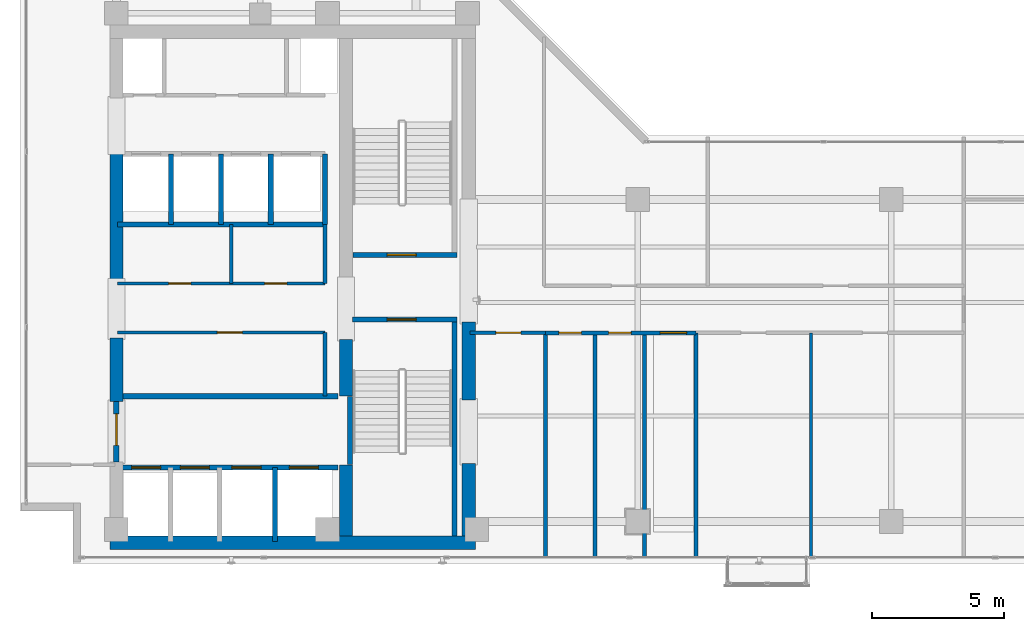
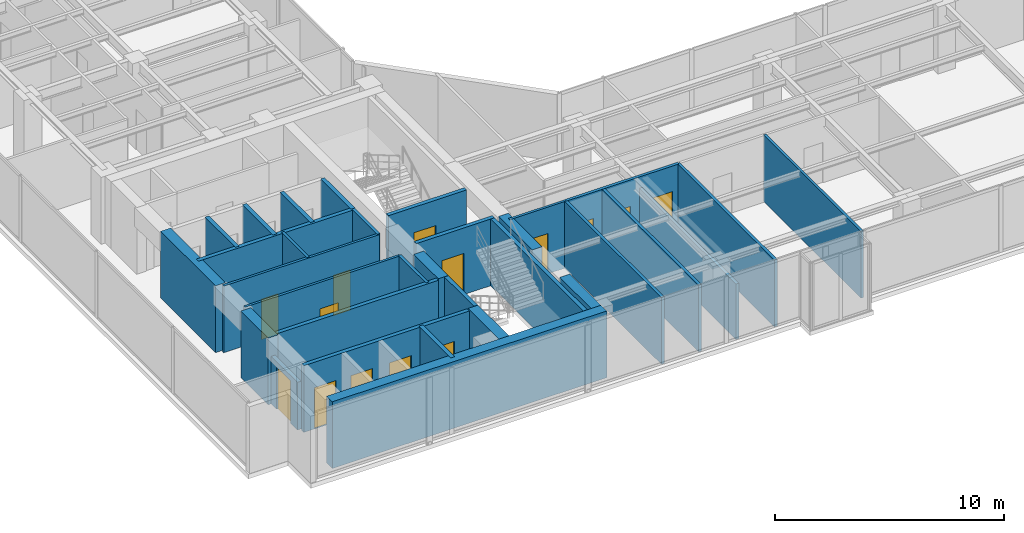
# One storey, part 17 of 22: 32 walls, 14 doors, 14 openings.
"""IFC4 building model written with IfcOpenShell, lengths in metres."""

from ifc_helpers import new_model, si_unit, direction, frame, frame_2d, origin, place, context, subcontext, project, spatial, rectangle, extrude, material, layer, layer_set, type_object, element, fill, save


model = new_model("IFC4")

# Units and contexts
model_context = context("Model", 3, precision=1e-05, world=origin(), true_north=direction((0.0, 1.0)))
body_context = subcontext(model_context, "Body", "Model", "MODEL_VIEW")
ifc_project = project(units=[si_unit("LENGTHUNIT", "METRE"), si_unit("AREAUNIT", "SQUARE_METRE"), si_unit("VOLUMEUNIT", "CUBIC_METRE"), si_unit("PLANEANGLEUNIT", "RADIAN"), si_unit("MASSUNIT", "GRAM", prefix="KILO")], contexts=[model_context])

# Site, building, storey
site_placement = place(None, origin())
site = spatial("IfcSite", under=ifc_project, at=site_placement, CompositionType="ELEMENT")
building_placement = place(site_placement, origin())
building = spatial("IfcBuilding", under=site, at=building_placement, Name="Kolvaren Waterfront Exchange", CompositionType="ELEMENT")
storey_placement = place(building_placement, frame((0.0, 0.0, 327.39990234375)))
storey = spatial("IfcBuildingStorey", under=building, at=storey_placement, Name="L84", CompositionType="ELEMENT", Elevation=327.39990234375)

# Wall, opening, door
ifc_material_1 = material(Name="Precast concrete C40/50", Category="concrete")
ifc_layer_1 = layer(ifc_material_1, 0.199951171875, Name="Precast concrete C40/50")
ifc_layer_set_1 = layer_set([ifc_layer_1], Name="Precast concrete C40/50")
wall_type_1 = type_object("IfcWallType", Name="ARC-FIRE-200", PredefinedType="PARTITIONING", material=ifc_layer_set_1)
wall_1_placement = place(storey_placement, frame((16.39990234375, 12.85009765625, 0.0), z_axis=(0.0, 0.0, 1.0), x_axis=(1.0, 0.0, 0.0)))
wall_1 = element("IfcWall", 1, at=wall_1_placement, inside=storey, type_object=wall_type_1, Name="L84 interior wall PW-L84-ST1-THROAT-S", PredefinedType="PARTITIONING", context=body_context, shape_type="SweptSolid", body=[
    extrude(rectangle(XDim=3.960205078125, YDim=0.199951171875, at=frame_2d((1.97998046875, 0.0))), origin(), (0.0, 0.0, 1.0), 3.56005859375),
])
opening_1_placement = place(wall_1_placement, frame((1.3037109375, 0.0, 0.0)))
opening_1 = element("IfcOpeningElement", 2, at=opening_1_placement, cuts=wall_1, Name="Opening FD2", PredefinedType="OPENING", context=body_context, shape_type="SweptSolid", body=[
    extrude(rectangle(XDim=1.10009765625, YDim=2.199951171875, at=frame_2d((0.550048828125, 1.10009765625))), frame((0.0, 0.10986328125, 0.0), z_axis=(0.0, -1.0, 0.0), x_axis=(1.0, 0.0, 0.0)), (0.0, 0.0, 1.0), 0.219970703125),
])
ifc_material_2 = material(Name="Pressed steel smoke-seal fire door", Category="steel")
door_type_1 = type_object("IfcDoorType", Name="ARC-FD-1100", OperationType="NOTDEFINED", PredefinedType="DOOR", material=ifc_material_2)
door_1_placement = place(opening_1_placement, frame((1.10009765625, 0.0, 0.0), z_axis=(0.0, 0.0, 1.0), x_axis=(-1.0, 0.0, 0.0)))
door_1 = element("IfcDoor", 3, at=door_1_placement, inside=storey, type_object=door_type_1, Name="L84 door DR-L84-ST1-IN (FD2)", OperationType="SINGLE_SWING_RIGHT", OverallHeight=2.199951171875, OverallWidth=1.10009765625, PredefinedType="DOOR", context=body_context, shape_type="SweptSolid", body=[
    extrude(rectangle(XDim=1.10009765625, YDim=2.199951171875, at=frame_2d((0.550048828125, 1.10009765625))), frame((0.0, 0.02490234375, 0.0), z_axis=(0.0, -1.0, 0.0), x_axis=(1.0, 0.0, 0.0)), (0.0, 0.0, 1.0), 0.050048828125),
])
fill(opening_1, door_1)

wall_2_placement = place(storey_placement, frame((16.409912109375, 15.300048828125, 0.0), z_axis=(0.0, 0.0, 1.0), x_axis=(1.0, 0.0, 0.0)))
wall_2 = element("IfcWall", 4, at=wall_2_placement, inside=storey, type_object=wall_type_1, Name="L84 interior wall PW-L84-ST2-THROAT-N", PredefinedType="PARTITIONING", context=body_context, shape_type="SweptSolid", body=[
    extrude(rectangle(XDim=3.9501953125, YDim=0.199951171875, at=frame_2d((1.97509765625, 0.0))), origin(), (0.0, 0.0, 1.0), 3.56005859375),
])
opening_2_placement = place(wall_2_placement, frame((1.293701171875, 0.0, 0.0)))
opening_2 = element("IfcOpeningElement", 5, at=opening_2_placement, cuts=wall_2, Name="Opening FD2", PredefinedType="OPENING", context=body_context, shape_type="SweptSolid", body=[
    extrude(rectangle(XDim=1.10009765625, YDim=2.199951171875, at=frame_2d((0.550048828125, 1.10009765625))), frame((0.0, 0.10986328125, 0.0), z_axis=(0.0, -1.0, 0.0), x_axis=(1.0, 0.0, 0.0)), (0.0, 0.0, 1.0), 0.219970703125),
])
door_2_placement = place(opening_2_placement, origin())
door_2 = element("IfcDoor", 6, at=door_2_placement, inside=storey, type_object=door_type_1, Name="L84 door DR-L84-ST2-IN (FD2)", OperationType="SINGLE_SWING_LEFT", OverallHeight=2.199951171875, OverallWidth=1.10009765625, PredefinedType="DOOR", context=body_context, shape_type="SweptSolid", body=[
    extrude(rectangle(XDim=1.10009765625, YDim=2.199951171875, at=frame_2d((0.550048828125, 1.10009765625))), frame((0.0, 0.02490234375, 0.0), z_axis=(0.0, -1.0, 0.0), x_axis=(1.0, 0.0, 0.0)), (0.0, 0.0, 1.0), 0.050048828125),
])
fill(opening_2, door_2)

# Wall
wall_3_placement = place(storey_placement, frame((7.5, 9.949951171875, 0.0), z_axis=(0.0, 0.0, 1.0), x_axis=(1.0, 0.0, 0.0)))
element("IfcWall", 7, at=wall_3_placement, inside=storey, type_object=wall_type_1, Name="L84 interior wall PW-L84-FF-N", PredefinedType="PARTITIONING", context=body_context, shape_type="SweptSolid", body=[
    extrude(rectangle(XDim=8.35009765625, YDim=0.199951171875, at=frame_2d((4.175048828125, 0.0))), origin(), (0.0, 0.0, 1.0), 3.56005859375),
])

# Wall, opening, door
wall_4_placement = place(storey_placement, frame((7.449951171875, 7.449951171875, 0.0), z_axis=(0.0, 0.0, 1.0), x_axis=(0.0, 1.0, 0.0)))
wall_4 = element("IfcWall", 8, at=wall_4_placement, inside=storey, type_object=wall_type_1, Name="L84 interior wall PW-L84-FF-W-DOOR", PredefinedType="PARTITIONING", context=body_context, shape_type="SweptSolid", body=[
    extrude(rectangle(XDim=2.300048828125, YDim=0.199951171875, at=frame_2d((1.14990234375, 0.0))), origin(), (0.0, 0.0, 1.0), 2.5400390625),
])
opening_3_placement = place(wall_4_placement, frame((0.63330078125, 0.0, 0.0)))
opening_3 = element("IfcOpeningElement", 9, at=opening_3_placement, cuts=wall_4, Name="Opening FD3", PredefinedType="OPENING", context=body_context, shape_type="SweptSolid", body=[
    extrude(rectangle(XDim=1.199951171875, YDim=2.25, at=frame_2d((0.60009765625, 1.125))), frame((0.0, 0.10986328125, 0.0), z_axis=(0.0, -1.0, 0.0), x_axis=(1.0, 0.0, 0.0)), (0.0, 0.0, 1.0), 0.219970703125),
])
ifc_material_3 = material(Name="Pressed steel fire door", Category="steel")
door_type_2 = type_object("IfcDoorType", Name="ARC-FD-1200", OperationType="NOTDEFINED", PredefinedType="DOOR", material=ifc_material_3)
door_3_placement = place(opening_3_placement, frame((1.199951171875, 0.0, 0.0), z_axis=(0.0, 0.0, 1.0), x_axis=(-1.0, 0.0, 0.0)))
door_3 = element("IfcDoor", 10, at=door_3_placement, inside=storey, type_object=door_type_2, Name="L84 door DR-L84-FF-OUT (FD3)", OperationType="SINGLE_SWING_RIGHT", OverallHeight=2.25, OverallWidth=1.199951171875, PredefinedType="DOOR", context=body_context, shape_type="SweptSolid", body=[
    extrude(rectangle(XDim=1.199951171875, YDim=2.25, at=frame_2d((0.60009765625, 1.125))), frame((0.0, 0.02490234375, 0.0), z_axis=(0.0, -1.0, 0.0), x_axis=(1.0, 0.0, 0.0)), (0.0, 0.0, 1.0), 0.050048828125),
])
fill(opening_3, door_3)

ifc_material_4 = material(Name="Acoustic gypsum steel stud", Category="steel")
ifc_layer_2 = layer(ifc_material_4, 0.125, Name="Acoustic gypsum steel stud")
ifc_layer_set_2 = layer_set([ifc_layer_2], Name="Acoustic gypsum steel stud")
wall_type_2 = type_object("IfcWallType", Name="ARC-PART-125", PredefinedType="PARTITIONING", material=ifc_layer_set_2)
wall_5_placement = place(storey_placement, frame((7.5, 12.360107421875, 0.0), z_axis=(0.0, 0.0, 1.0), x_axis=(1.0, 0.0, 0.0)))
wall_5 = element("IfcWall", 11, at=wall_5_placement, inside=storey, type_object=wall_type_2, Name="L84 interior wall PW-L84-REC-HI-S", PredefinedType="PARTITIONING", context=body_context, shape_type="SweptSolid", body=[
    extrude(rectangle(XDim=7.85009765625, YDim=0.125, at=frame_2d((3.925048828125, 0.0))), origin(), (0.0, 0.0, 1.0), 3.56005859375),
])
opening_4_placement = place(wall_5_placement, frame((3.77490234375, 0.0, 0.0)))
opening_4 = element("IfcOpeningElement", 12, at=opening_4_placement, cuts=wall_5, Name="Opening D02", PredefinedType="OPENING", context=body_context, shape_type="SweptSolid", body=[
    extrude(rectangle(XDim=0.949951171875, YDim=2.14990234375, at=frame_2d((0.47509765625, 1.074951171875))), frame((0.0, 0.072509765625, 0.0), z_axis=(0.0, -1.0, 0.0), x_axis=(1.0, 0.0, 0.0)), (0.0, 0.0, 1.0), 0.14501953125),
])
ifc_material_5 = material(Name="Oak veneer acoustic timber", Category="wood")
door_type_3 = type_object("IfcDoorType", Name="ARC-DR-950", OperationType="NOTDEFINED", PredefinedType="DOOR", material=ifc_material_5)
door_4_placement = place(opening_4_placement, origin())
door_4 = element("IfcDoor", 13, at=door_4_placement, inside=storey, type_object=door_type_3, Name="L84 door DR-L84-REC-HI-D1 (D02)", OperationType="SINGLE_SWING_LEFT", OverallHeight=2.14990234375, OverallWidth=0.949951171875, PredefinedType="DOOR", context=body_context, shape_type="SweptSolid", body=[
    extrude(rectangle(XDim=0.949951171875, YDim=2.14990234375, at=frame_2d((0.47509765625, 1.074951171875))), frame((0.0, 0.02490234375, 0.0), z_axis=(0.0, -1.0, 0.0), x_axis=(1.0, 0.0, 0.0)), (0.0, 0.0, 1.0), 0.050048828125),
])
fill(opening_4, door_4)

# Wall, openings, doors
wall_6_placement = place(storey_placement, frame((7.5, 14.219970703125, 0.0), z_axis=(0.0, 0.0, 1.0), x_axis=(1.0, 0.0, 0.0)))
wall_6 = element("IfcWall", 14, at=wall_6_placement, inside=storey, type_object=wall_type_2, Name="L84 interior wall PW-L84-REC-HI-N", PredefinedType="PARTITIONING", context=body_context, shape_type="SweptSolid", body=[
    extrude(rectangle(XDim=7.85009765625, YDim=0.125, at=frame_2d((3.925048828125, 0.0))), origin(), (0.0, 0.0, 1.0), 3.56005859375),
])
opening_5_placement = place(wall_6_placement, frame((1.925048828125, 0.0, 0.0)))
opening_5 = element("IfcOpeningElement", 15, at=opening_5_placement, cuts=wall_6, Name="Opening D01", PredefinedType="OPENING", context=body_context, shape_type="SweptSolid", body=[
    extrude(rectangle(XDim=0.85009765625, YDim=2.14990234375, at=frame_2d((0.425048828125, 1.074951171875))), frame((0.0, 0.072509765625, 0.0), z_axis=(0.0, -1.0, 0.0), x_axis=(1.0, 0.0, 0.0)), (0.0, 0.0, 1.0), 0.14501953125),
])
opening_6_placement = place(wall_6_placement, frame((5.56298828125, 0.0, 0.0)))
opening_6 = element("IfcOpeningElement", 16, at=opening_6_placement, cuts=wall_6, Name="Opening D01", PredefinedType="OPENING", context=body_context, shape_type="SweptSolid", body=[
    extrude(rectangle(XDim=0.85009765625, YDim=2.14990234375, at=frame_2d((0.425048828125, 1.074951171875))), frame((0.0, 0.072509765625, 0.0), z_axis=(0.0, -1.0, 0.0), x_axis=(1.0, 0.0, 0.0)), (0.0, 0.0, 1.0), 0.14501953125),
])
ifc_material_6 = material(Name="Oak veneer timber leaf", Category="wood")
door_type_4 = type_object("IfcDoorType", Name="ARC-DR-900", OperationType="NOTDEFINED", PredefinedType="DOOR", material=ifc_material_6)
door_5_placement = place(opening_5_placement, origin())
door_5 = element("IfcDoor", 17, at=door_5_placement, inside=storey, type_object=door_type_4, Name="L84 door DR-L84-REC-HI-D2 (D01)", OperationType="SINGLE_SWING_RIGHT", OverallHeight=2.14990234375, OverallWidth=0.85009765625, PredefinedType="DOOR", context=body_context, shape_type="SweptSolid", body=[
    extrude(rectangle(XDim=0.85009765625, YDim=2.14990234375, at=frame_2d((0.425048828125, 1.074951171875))), frame((0.0, 0.02490234375, 0.0), z_axis=(0.0, -1.0, 0.0), x_axis=(1.0, 0.0, 0.0)), (0.0, 0.0, 1.0), 0.050048828125),
])
fill(opening_5, door_5)
door_6_placement = place(opening_6_placement, origin())
door_6 = element("IfcDoor", 18, at=door_6_placement, inside=storey, type_object=door_type_4, Name="L84 door DR-L84-REC-HI-D3 (D01)", OperationType="SINGLE_SWING_LEFT", OverallHeight=2.14990234375, OverallWidth=0.85009765625, PredefinedType="DOOR", context=body_context, shape_type="SweptSolid", body=[
    extrude(rectangle(XDim=0.85009765625, YDim=2.14990234375, at=frame_2d((0.425048828125, 1.074951171875))), frame((0.0, 0.02490234375, 0.0), z_axis=(0.0, -1.0, 0.0), x_axis=(1.0, 0.0, 0.0)), (0.0, 0.0, 1.0), 0.050048828125),
])
fill(opening_6, door_6)

# Wall
wall_7_placement = place(storey_placement, frame((11.800048828125, 14.219970703125, 0.0), z_axis=(0.0, 0.0, 1.0), x_axis=(0.0, 1.0, 0.0)))
element("IfcWall", 19, at=wall_7_placement, inside=storey, type_object=wall_type_2, Name="L84 interior wall PW-L84-REC-HI-MN2", PredefinedType="PARTITIONING", context=body_context, shape_type="SweptSolid", body=[
    extrude(rectangle(XDim=2.22998046875, YDim=0.125, at=frame_2d((1.114990234375, 0.0))), origin(), (0.0, 0.0, 1.0), 3.56005859375),
])

# Wall, opening, door
wall_8_placement = place(storey_placement, frame((20.85009765625, 12.35009765625, 0.0), z_axis=(0.0, 0.0, 1.0), x_axis=(1.0, 0.0, 0.0)))
wall_8 = element("IfcWall", 20, at=wall_8_placement, inside=storey, type_object=wall_type_2, Name="L84 interior wall PW-L84-SWST3-N", PredefinedType="PARTITIONING", context=body_context, shape_type="SweptSolid", body=[
    extrude(rectangle(XDim=2.849853515625, YDim=0.125, at=frame_2d((1.4248046875, 0.0))), origin(), (0.0, 0.0, 1.0), 3.56005859375),
])
opening_7_placement = place(wall_8_placement, frame((0.971435546875, 0.0, 0.0)))
opening_7 = element("IfcOpeningElement", 21, at=opening_7_placement, cuts=wall_8, Name="Opening D02", PredefinedType="OPENING", context=body_context, shape_type="SweptSolid", body=[
    extrude(rectangle(XDim=0.949951171875, YDim=2.14990234375, at=frame_2d((0.47509765625, 1.074951171875))), frame((0.0, 0.072509765625, 0.0), z_axis=(0.0, -1.0, 0.0), x_axis=(1.0, 0.0, 0.0)), (0.0, 0.0, 1.0), 0.14501953125),
])
door_7_placement = place(opening_7_placement, origin())
door_7 = element("IfcDoor", 22, at=door_7_placement, inside=storey, type_object=door_type_3, Name="L84 door DR-L84-SWST3-D (D02)", OperationType="SINGLE_SWING_RIGHT", OverallHeight=2.14990234375, OverallWidth=0.949951171875, PredefinedType="DOOR", context=body_context, shape_type="SweptSolid", body=[
    extrude(rectangle(XDim=0.949951171875, YDim=2.14990234375, at=frame_2d((0.47509765625, 1.074951171875))), frame((0.0, 0.02490234375, 0.0), z_axis=(0.0, -1.0, 0.0), x_axis=(1.0, 0.0, 0.0)), (0.0, 0.0, 1.0), 0.050048828125),
])
fill(opening_7, door_7)

# Walls
wall_9_placement = place(storey_placement, frame((33.760009765625, 3.840087890625, 0.0), z_axis=(0.0, 0.0, 1.0), x_axis=(0.0, 1.0, 0.0)))
element("IfcWall", 23, at=wall_9_placement, inside=storey, type_object=wall_type_2, Name="L84 interior wall PW-L84-ES-DIV-1", PredefinedType="PARTITIONING", context=body_context, shape_type="SweptSolid", body=[
    extrude(rectangle(XDim=8.510009765625, YDim=0.125, at=frame_2d((4.2548828125, 0.0))), origin(), (0.0, 0.0, 1.0), 3.56005859375),
])
ifc_material_7 = material(Name="Gypsum fireboard steel stud", Category="steel")
ifc_layer_3 = layer(ifc_material_7, 0.14990234375, Name="Gypsum fireboard steel stud")
ifc_layer_set_3 = layer_set([ifc_layer_3], Name="Gypsum fireboard steel stud")
wall_type_3 = type_object("IfcWallType", Name="ARC-PART-150", PredefinedType="PARTITIONING", material=ifc_layer_set_3)
wall_10_placement = place(storey_placement, frame((15.35009765625, 9.949951171875, 0.0), z_axis=(0.0, 0.0, 1.0), x_axis=(0.0, 1.0, 0.0)))
element("IfcWall", 24, at=wall_10_placement, inside=storey, type_object=wall_type_3, Name="L84 interior wall PW-L84-REC-HI-E1", PredefinedType="PARTITIONING", context=body_context, shape_type="SweptSolid", body=[
    extrude(rectangle(XDim=2.41015625, YDim=0.14990234375, at=frame_2d((1.205078125, 0.0))), origin(), (0.0, 0.0, 1.0), 3.56005859375),
])
wall_11_placement = place(storey_placement, frame((15.35009765625, 14.219970703125, 0.0), z_axis=(0.0, 0.0, 1.0), x_axis=(0.0, 1.0, 0.0)))
element("IfcWall", 25, at=wall_11_placement, inside=storey, type_object=wall_type_3, Name="L84 interior wall PW-L84-REC-HI-E2", PredefinedType="PARTITIONING", context=body_context, shape_type="SweptSolid", body=[
    extrude(rectangle(XDim=2.22998046875, YDim=0.14990234375, at=frame_2d((1.114990234375, 0.0))), origin(), (0.0, 0.0, 1.0), 3.56005859375),
])
ifc_material_8 = material(Name="Moisture-resistant gypsum stud")
ifc_layer_4 = layer(ifc_material_8, 0.14990234375, Name="Moisture-resistant gypsum stud")
ifc_layer_set_4 = layer_set([ifc_layer_4], Name="Moisture-resistant gypsum stud")
wall_type_4 = type_object("IfcWallType", Name="ARC-PLUMB-150", PredefinedType="PLUMBINGWALL", material=ifc_layer_set_4)
wall_12_placement = place(storey_placement, frame((23.699951171875, 3.840087890625, 0.0), z_axis=(0.0, 0.0, 1.0), x_axis=(0.0, 1.0, 0.0)))
element("IfcWall", 26, at=wall_12_placement, inside=storey, type_object=wall_type_4, Name="L84 interior wall PW-L84-WC-0", PredefinedType="PLUMBINGWALL", context=body_context, shape_type="SweptSolid", body=[
    extrude(rectangle(XDim=8.510009765625, YDim=0.14990234375, at=frame_2d((4.2548828125, 0.0))), origin(), (0.0, 0.0, 1.0), 3.56005859375),
])

# Wall, openings, doors
wall_13_placement = place(storey_placement, frame((23.699951171875, 12.35009765625, 0.0), z_axis=(0.0, 0.0, 1.0), x_axis=(1.0, 0.0, 0.0)))
wall_13 = element("IfcWall", 27, at=wall_13_placement, inside=storey, type_object=wall_type_4, Name="L84 interior wall PW-L84-WC-N", PredefinedType="PLUMBINGWALL", context=body_context, shape_type="SweptSolid", body=[
    extrude(rectangle(XDim=5.699951171875, YDim=0.14990234375, at=frame_2d((2.85009765625, 0.0))), origin(), (0.0, 0.0, 1.0), 3.56005859375),
])
opening_8_placement = place(wall_13_placement, frame((0.514892578125, 0.0, 0.0)))
opening_8 = element("IfcOpeningElement", 28, at=opening_8_placement, cuts=wall_13, Name="Opening D01", PredefinedType="OPENING", context=body_context, shape_type="SweptSolid", body=[
    extrude(rectangle(XDim=0.85009765625, YDim=2.14990234375, at=frame_2d((0.425048828125, 1.074951171875))), frame((0.0, 0.0849609375, 0.0), z_axis=(0.0, -1.0, 0.0), x_axis=(1.0, 0.0, 0.0)), (0.0, 0.0, 1.0), 0.169921875),
])
opening_9_placement = place(wall_13_placement, frame((2.39501953125, 0.0, 0.0)))
opening_9 = element("IfcOpeningElement", 29, at=opening_9_placement, cuts=wall_13, Name="Opening D01", PredefinedType="OPENING", context=body_context, shape_type="SweptSolid", body=[
    extrude(rectangle(XDim=0.85009765625, YDim=2.14990234375, at=frame_2d((0.425048828125, 1.074951171875))), frame((0.0, 0.0849609375, 0.0), z_axis=(0.0, -1.0, 0.0), x_axis=(1.0, 0.0, 0.0)), (0.0, 0.0, 1.0), 0.169921875),
])
opening_10_placement = place(wall_13_placement, frame((4.35009765625, 0.0, 0.0)))
opening_10 = element("IfcOpeningElement", 30, at=opening_10_placement, cuts=wall_13, Name="Opening D03", PredefinedType="OPENING", context=body_context, shape_type="SweptSolid", body=[
    extrude(rectangle(XDim=1.0, YDim=2.199951171875, at=frame_2d((0.5, 1.10009765625))), frame((0.0, 0.0849609375, 0.0), z_axis=(0.0, -1.0, 0.0), x_axis=(1.0, 0.0, 0.0)), (0.0, 0.0, 1.0), 0.169921875),
])
ifc_material_9 = material(Name="Oak veneer accessible timber", Category="wood")
door_type_5 = type_object("IfcDoorType", Name="ARC-DR-1000", OperationType="NOTDEFINED", PredefinedType="DOOR", material=ifc_material_9)
door_8_placement = place(opening_10_placement, origin())
door_8 = element("IfcDoor", 31, at=door_8_placement, inside=storey, type_object=door_type_5, Name="L84 door DR-L84-WCA-D (D03)", OperationType="SINGLE_SWING_RIGHT", OverallHeight=2.199951171875, OverallWidth=1.0, PredefinedType="DOOR", context=body_context, shape_type="SweptSolid", body=[
    extrude(rectangle(XDim=1.0, YDim=2.199951171875, at=frame_2d((0.5, 1.10009765625))), frame((0.0, 0.02490234375, 0.0), z_axis=(0.0, -1.0, 0.0), x_axis=(1.0, 0.0, 0.0)), (0.0, 0.0, 1.0), 0.050048828125),
])
fill(opening_10, door_8)
door_9_placement = place(opening_8_placement, origin())
door_9 = element("IfcDoor", 32, at=door_9_placement, inside=storey, type_object=door_type_4, Name="L84 door DR-L84-WCM-D (D01)", OperationType="SINGLE_SWING_RIGHT", OverallHeight=2.14990234375, OverallWidth=0.85009765625, PredefinedType="DOOR", context=body_context, shape_type="SweptSolid", body=[
    extrude(rectangle(XDim=0.85009765625, YDim=2.14990234375, at=frame_2d((0.425048828125, 1.074951171875))), frame((0.0, 0.02490234375, 0.0), z_axis=(0.0, -1.0, 0.0), x_axis=(1.0, 0.0, 0.0)), (0.0, 0.0, 1.0), 0.050048828125),
])
fill(opening_8, door_9)
door_10_placement = place(opening_9_placement, origin())
door_10 = element("IfcDoor", 33, at=door_10_placement, inside=storey, type_object=door_type_4, Name="L84 door DR-L84-WCF-D (D01)", OperationType="SINGLE_SWING_LEFT", OverallHeight=2.14990234375, OverallWidth=0.85009765625, PredefinedType="DOOR", context=body_context, shape_type="SweptSolid", body=[
    extrude(rectangle(XDim=0.85009765625, YDim=2.14990234375, at=frame_2d((0.425048828125, 1.074951171875))), frame((0.0, 0.02490234375, 0.0), z_axis=(0.0, -1.0, 0.0), x_axis=(1.0, 0.0, 0.0)), (0.0, 0.0, 1.0), 0.050048828125),
])
fill(opening_9, door_10)

# Walls
wall_14_placement = place(storey_placement, frame((25.580078125, 3.840087890625, 0.0), z_axis=(0.0, 0.0, 1.0), x_axis=(0.0, 1.0, 0.0)))
element("IfcWall", 34, at=wall_14_placement, inside=storey, type_object=wall_type_4, Name="L84 interior wall PW-L84-WC-1", PredefinedType="PLUMBINGWALL", context=body_context, shape_type="SweptSolid", body=[
    extrude(rectangle(XDim=8.510009765625, YDim=0.14990234375, at=frame_2d((4.2548828125, 0.0))), origin(), (0.0, 0.0, 1.0), 3.56005859375),
])
wall_15_placement = place(storey_placement, frame((27.4599609375, 3.840087890625, 0.0), z_axis=(0.0, 0.0, 1.0), x_axis=(0.0, 1.0, 0.0)))
element("IfcWall", 35, at=wall_15_placement, inside=storey, type_object=wall_type_4, Name="L84 interior wall PW-L84-WC-2", PredefinedType="PLUMBINGWALL", context=body_context, shape_type="SweptSolid", body=[
    extrude(rectangle(XDim=8.510009765625, YDim=0.14990234375, at=frame_2d((4.2548828125, 0.0))), origin(), (0.0, 0.0, 1.0), 2.960205078125),
])
wall_16_placement = place(storey_placement, frame((29.39990234375, 3.840087890625, 0.0), z_axis=(0.0, 0.0, 1.0), x_axis=(0.0, 1.0, 0.0)))
element("IfcWall", 36, at=wall_16_placement, inside=storey, type_object=wall_type_4, Name="L84 interior wall PW-L84-WC-3", PredefinedType="PLUMBINGWALL", context=body_context, shape_type="SweptSolid", body=[
    extrude(rectangle(XDim=8.510009765625, YDim=0.14990234375, at=frame_2d((4.2548828125, 0.0))), origin(), (0.0, 0.0, 1.0), 3.56005859375),
])
ifc_material_10 = material(Name="Concrete C40/50", Category="concrete")
ifc_layer_5 = layer(ifc_material_10, 0.199951171875, Name="Concrete C40/50")
ifc_layer_set_5 = layer_set([ifc_layer_5], Name="Concrete C40/50")
wall_type_5 = type_object("IfcWallType", Name="ARC-SHAFT-200", PredefinedType="PARTITIONING", material=ifc_layer_set_5)
wall_17_placement = place(storey_placement, frame((16.300048828125, 7.360107421875, 0.0), z_axis=(0.0, 0.0, 1.0), x_axis=(0.0, 1.0, 0.0)))
element("IfcWall", 37, at=wall_17_placement, inside=storey, type_object=wall_type_5, Name="L84 structural stairwell wall PW-L84-ST1-W", PredefinedType="SHEAR", context=body_context, shape_type="SweptSolid", body=[
    extrude(rectangle(XDim=2.579833984375, YDim=0.199951171875, at=frame_2d((1.2900390625, 0.0))), origin(), (0.0, 0.0, 1.0), 3.56005859375),
])
wall_18_placement = place(storey_placement, frame((20.260009765625, 4.659912109375, 0.0), z_axis=(0.0, 0.0, 1.0), x_axis=(0.0, 1.0, 0.0)))
element("IfcWall", 38, at=wall_18_placement, inside=storey, type_object=wall_type_5, Name="L84 structural stairwell wall PW-L84-ST1-E", PredefinedType="SHEAR", context=body_context, shape_type="SweptSolid", body=[
    extrude(rectangle(XDim=8.090087890625, YDim=0.199951171875, at=frame_2d((4.044921875, 0.0))), origin(), (0.0, 0.0, 1.0), 3.56005859375),
])

# Wall, openings, doors
wall_19_placement = place(storey_placement, frame((7.5, 7.25, 0.0), z_axis=(0.0, 0.0, 1.0), x_axis=(1.0, 0.0, 0.0)))
wall_19 = element("IfcWall", 39, at=wall_19_placement, inside=storey, type_object=wall_type_5, Name="L84 interior wall PW-L84-FF-S", PredefinedType="PARTITIONING", context=body_context, shape_type="SweptSolid", body=[
    extrude(rectangle(XDim=8.35009765625, YDim=0.199951171875, at=frame_2d((4.175048828125, 0.0))), origin(), (0.0, 0.0, 1.0), 3.56005859375),
])
opening_11_placement = place(wall_19_placement, frame((0.530029296875, 0.0, 0.0)))
opening_11 = element("IfcOpeningElement", 40, at=opening_11_placement, cuts=wall_19, Name="Opening LD1", PredefinedType="OPENING", context=body_context, shape_type="SweptSolid", body=[
    extrude(rectangle(XDim=1.10009765625, YDim=2.199951171875, at=frame_2d((0.550048828125, 1.10009765625))), frame((0.0, 0.10986328125, 0.0), z_axis=(0.0, -1.0, 0.0), x_axis=(1.0, 0.0, 0.0)), (0.0, 0.0, 1.0), 0.219970703125),
])
opening_12_placement = place(wall_19_placement, frame((2.3701171875, 0.0, 0.0)))
opening_12 = element("IfcOpeningElement", 41, at=opening_12_placement, cuts=wall_19, Name="Opening LD1", PredefinedType="OPENING", context=body_context, shape_type="SweptSolid", body=[
    extrude(rectangle(XDim=1.10009765625, YDim=2.199951171875, at=frame_2d((0.550048828125, 1.10009765625))), frame((0.0, 0.10986328125, 0.0), z_axis=(0.0, -1.0, 0.0), x_axis=(1.0, 0.0, 0.0)), (0.0, 0.0, 1.0), 0.219970703125),
])
opening_13_placement = place(wall_19_placement, frame((4.330078125, 0.0, 0.0)))
opening_13 = element("IfcOpeningElement", 42, at=opening_13_placement, cuts=wall_19, Name="Opening LD1", PredefinedType="OPENING", context=body_context, shape_type="SweptSolid", body=[
    extrude(rectangle(XDim=1.10009765625, YDim=2.199951171875, at=frame_2d((0.550048828125, 1.10009765625))), frame((0.0, 0.10986328125, 0.0), z_axis=(0.0, -1.0, 0.0), x_axis=(1.0, 0.0, 0.0)), (0.0, 0.0, 1.0), 0.219970703125),
])
opening_14_placement = place(wall_19_placement, frame((6.5, 0.0, 0.0)))
opening_14 = element("IfcOpeningElement", 43, at=opening_14_placement, cuts=wall_19, Name="Opening LD1", PredefinedType="OPENING", context=body_context, shape_type="SweptSolid", body=[
    extrude(rectangle(XDim=1.10009765625, YDim=2.199951171875, at=frame_2d((0.550048828125, 1.10009765625))), frame((0.0, 0.10986328125, 0.0), z_axis=(0.0, -1.0, 0.0), x_axis=(1.0, 0.0, 0.0)), (0.0, 0.0, 1.0), 0.219970703125),
])
ifc_material_11 = material(Name="Stainless steel sliding landing door", Category="steel")
door_type_6 = type_object("IfcDoorType", Name="ARC-LD-FF", OperationType="SLIDING_TO_LEFT", PredefinedType="DOOR", material=ifc_material_11)
door_11_placement = place(opening_11_placement, origin())
door_11 = element("IfcDoor", 44, at=door_11_placement, inside=storey, type_object=door_type_6, Name="L84 door LD-L84-FFL1 (LD1)", OperationType="SLIDING_TO_LEFT", OverallHeight=2.199951171875, OverallWidth=1.10009765625, PredefinedType="DOOR", context=body_context, shape_type="SweptSolid", body=[
    extrude(rectangle(XDim=1.10009765625, YDim=2.199951171875, at=frame_2d((0.550048828125, 1.10009765625))), frame((0.0, 0.02490234375, 0.0), z_axis=(0.0, -1.0, 0.0), x_axis=(1.0, 0.0, 0.0)), (0.0, 0.0, 1.0), 0.050048828125),
])
fill(opening_11, door_11)
door_12_placement = place(opening_12_placement, origin())
door_12 = element("IfcDoor", 45, at=door_12_placement, inside=storey, type_object=door_type_6, Name="L84 door LD-L84-FFL2 (LD1)", OperationType="SLIDING_TO_LEFT", OverallHeight=2.199951171875, OverallWidth=1.10009765625, PredefinedType="DOOR", context=body_context, shape_type="SweptSolid", body=[
    extrude(rectangle(XDim=1.10009765625, YDim=2.199951171875, at=frame_2d((0.550048828125, 1.10009765625))), frame((0.0, 0.02490234375, 0.0), z_axis=(0.0, -1.0, 0.0), x_axis=(1.0, 0.0, 0.0)), (0.0, 0.0, 1.0), 0.050048828125),
])
fill(opening_12, door_12)
door_13_placement = place(opening_13_placement, origin())
door_13 = element("IfcDoor", 46, at=door_13_placement, inside=storey, type_object=door_type_6, Name="L84 door LD-L84-GL1 (LD1)", OperationType="SLIDING_TO_LEFT", OverallHeight=2.199951171875, OverallWidth=1.10009765625, PredefinedType="DOOR", context=body_context, shape_type="SweptSolid", body=[
    extrude(rectangle(XDim=1.10009765625, YDim=2.199951171875, at=frame_2d((0.550048828125, 1.10009765625))), frame((0.0, 0.02490234375, 0.0), z_axis=(0.0, -1.0, 0.0), x_axis=(1.0, 0.0, 0.0)), (0.0, 0.0, 1.0), 0.050048828125),
])
fill(opening_13, door_13)
door_14_placement = place(opening_14_placement, origin())
door_14 = element("IfcDoor", 47, at=door_14_placement, inside=storey, type_object=door_type_6, Name="L84 door LD-L84-GL2 (LD1)", OperationType="SLIDING_TO_LEFT", OverallHeight=2.199951171875, OverallWidth=1.10009765625, PredefinedType="DOOR", context=body_context, shape_type="SweptSolid", body=[
    extrude(rectangle(XDim=1.10009765625, YDim=2.199951171875, at=frame_2d((0.550048828125, 1.10009765625))), frame((0.0, 0.02490234375, 0.0), z_axis=(0.0, -1.0, 0.0), x_axis=(1.0, 0.0, 0.0)), (0.0, 0.0, 1.0), 0.050048828125),
])
fill(opening_14, door_14)

# Walls
wall_20_placement = place(storey_placement, frame((13.4599609375, 4.449951171875, 0.0), z_axis=(0.0, 0.0, 1.0), x_axis=(0.0, 1.0, 0.0)))
element("IfcWall", 48, at=wall_20_placement, inside=storey, type_object=wall_type_5, Name="L84 interior wall PW-L84-SH1-DIV-134", PredefinedType="PARTITIONING", context=body_context, shape_type="SweptSolid", body=[
    extrude(rectangle(XDim=2.800048828125, YDim=0.199951171875, at=frame_2d((1.39990234375, 0.0))), origin(), (0.0, 0.0, 1.0), 3.56005859375),
])
wall_21_placement = place(storey_placement, frame((7.5, 16.449951171875, 0.0), z_axis=(0.0, 0.0, 1.0), x_axis=(1.0, 0.0, 0.0)))
element("IfcWall", 49, at=wall_21_placement, inside=storey, type_object=wall_type_5, Name="L84 interior wall PW-L84-REC-PM-N", PredefinedType="PARTITIONING", context=body_context, shape_type="SweptSolid", body=[
    extrude(rectangle(XDim=7.85009765625, YDim=0.199951171875, at=frame_2d((3.925048828125, 0.0))), origin(), (0.0, 0.0, 1.0), 3.56005859375),
])
for number, where, z_axis, x_axis, name in (
    (50, (15.35009765625, 16.449951171875, 0.0), (0.0, 0.0, 1.0), (0.0, 1.0, 0.0), "L84 interior wall PW-L84-PH-E"),
    (51, (9.52001953125, 16.449951171875, 0.0), (0.0, 0.0, 1.0), (0.0, 1.0, 0.0), "L84 interior wall PW-L84-SH4-DIV-95"),
    (52, (11.409912109375, 16.449951171875, 0.0), (0.0, 0.0, 1.0), (0.0, 1.0, 0.0), "L84 interior wall PW-L84-SH4-DIV-114"),
    (53, (13.300048828125, 16.449951171875, 0.0), (0.0, 0.0, 1.0), (0.0, 1.0, 0.0), "L84 interior wall PW-L84-SH4-DIV-133"),
):
    element("IfcWall", number, at=place(storey_placement, frame(where, z_axis=z_axis, x_axis=x_axis)), inside=storey, type_object=wall_type_5, Name=name, PredefinedType="PARTITIONING", context=body_context, shape_type="SweptSolid", body=[
        extrude(rectangle(XDim=2.670166015625, YDim=0.199951171875, at=frame_2d((1.3349609375, 0.0))), origin(), (0.0, 0.0, 1.0), 3.56005859375),
    ])
ifc_material_12 = material(Name="Concrete C50/60", Category="concrete")
ifc_layer_6 = layer(ifc_material_12, 0.5, Name="Concrete C50/60")
ifc_layer_set_6 = layer_set([ifc_layer_6], Name="Concrete C50/60")
wall_type_6 = type_object("IfcWallType", Name="STR-CWALL-500", PredefinedType="SHEAR", material=ifc_layer_set_6)
wall_22_placement = place(storey_placement, frame((7.199951171875, 4.39990234375, 0.0), z_axis=(0.0, 0.0, 1.0), x_axis=(1.0, 0.0, 0.0)))
element("IfcWall", 54, at=wall_22_placement, inside=storey, type_object=wall_type_6, Name="L84 rear-core shear wall S", PredefinedType="SHEAR", context=body_context, shape_type="SweptSolid", body=[
    extrude(rectangle(XDim=13.85009765625, YDim=0.5, at=frame_2d((6.925048828125, 0.0))), origin(), (0.0, 0.0, 1.0), 3.56005859375),
])
wall_23_placement = place(storey_placement, frame((7.449951171875, 9.75, 0.0), z_axis=(0.0, 0.0, 1.0), x_axis=(0.0, 1.0, 0.0)))
element("IfcWall", 55, at=wall_23_placement, inside=storey, type_object=wall_type_6, Name="L84 rear-core shear wall W2A", PredefinedType="SHEAR", context=body_context, shape_type="SweptSolid", body=[
    extrude(rectangle(XDim=2.39990234375, YDim=0.5, at=frame_2d((1.199951171875, 0.0))), origin(), (0.0, 0.0, 1.0), 3.56005859375),
])
wall_24_placement = place(storey_placement, frame((7.449951171875, 14.35009765625, 0.0), z_axis=(0.0, 0.0, 1.0), x_axis=(0.0, 1.0, 0.0)))
element("IfcWall", 56, at=wall_24_placement, inside=storey, type_object=wall_type_6, Name="L84 rear-core shear wall W2B", PredefinedType="SHEAR", context=body_context, shape_type="SweptSolid", body=[
    extrude(rectangle(XDim=4.809814453125, YDim=0.5, at=frame_2d((2.40478515625, 0.0))), origin(), (0.0, 0.0, 1.0), 3.56005859375),
])
wall_25_placement = place(storey_placement, frame((20.800048828125, 4.64990234375, 0.0), z_axis=(0.0, 0.0, 1.0), x_axis=(0.0, 1.0, 0.0)))
element("IfcWall", 57, at=wall_25_placement, inside=storey, type_object=wall_type_6, Name="L84 rear-core shear wall E1", PredefinedType="SHEAR", context=body_context, shape_type="SweptSolid", body=[
    extrude(rectangle(XDim=2.75, YDim=0.5, at=frame_2d((1.375, 0.0))), origin(), (0.0, 0.0, 1.0), 3.56005859375),
])
wall_26_placement = place(storey_placement, frame((20.800048828125, 9.800048828125, 0.0), z_axis=(0.0, 0.0, 1.0), x_axis=(0.0, 1.0, 0.0)))
element("IfcWall", 58, at=wall_26_placement, inside=storey, type_object=wall_type_6, Name="L84 rear-core shear wall E2", PredefinedType="SHEAR", context=body_context, shape_type="SweptSolid", body=[
    extrude(rectangle(XDim=2.949951171875, YDim=0.5, at=frame_2d((1.47509765625, 0.0))), origin(), (0.0, 0.0, 1.0), 3.56005859375),
])
wall_27_placement = place(storey_placement, frame((16.14990234375, 4.64990234375, 0.0), z_axis=(0.0, 0.0, 1.0), x_axis=(0.0, 1.0, 0.0)))
element("IfcWall", 59, at=wall_27_placement, inside=storey, type_object=wall_type_6, Name="L84 rear-core shear wall M1", PredefinedType="SHEAR", context=body_context, shape_type="SweptSolid", body=[
    extrude(rectangle(XDim=2.7001953125, YDim=0.5, at=frame_2d((1.35009765625, 0.0))), origin(), (0.0, 0.0, 1.0), 3.56005859375),
])
wall_28_placement = place(storey_placement, frame((16.14990234375, 9.949951171875, 0.0), z_axis=(0.0, 0.0, 1.0), x_axis=(0.0, 1.0, 0.0)))
element("IfcWall", 60, at=wall_28_placement, inside=storey, type_object=wall_type_6, Name="L84 rear-core shear wall M2", PredefinedType="SHEAR", context=body_context, shape_type="SweptSolid", body=[
    extrude(rectangle(XDim=2.150146484375, YDim=0.5, at=frame_2d((1.0751953125, 0.0))), origin(), (0.0, 0.0, 1.0), 3.56005859375),
])

save(model, "model.ifc")
